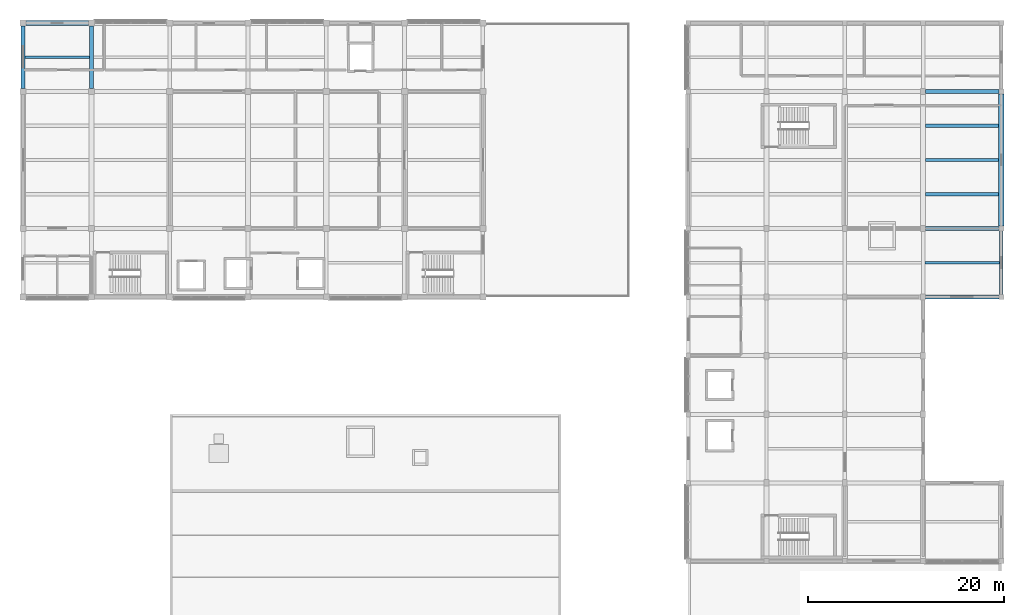
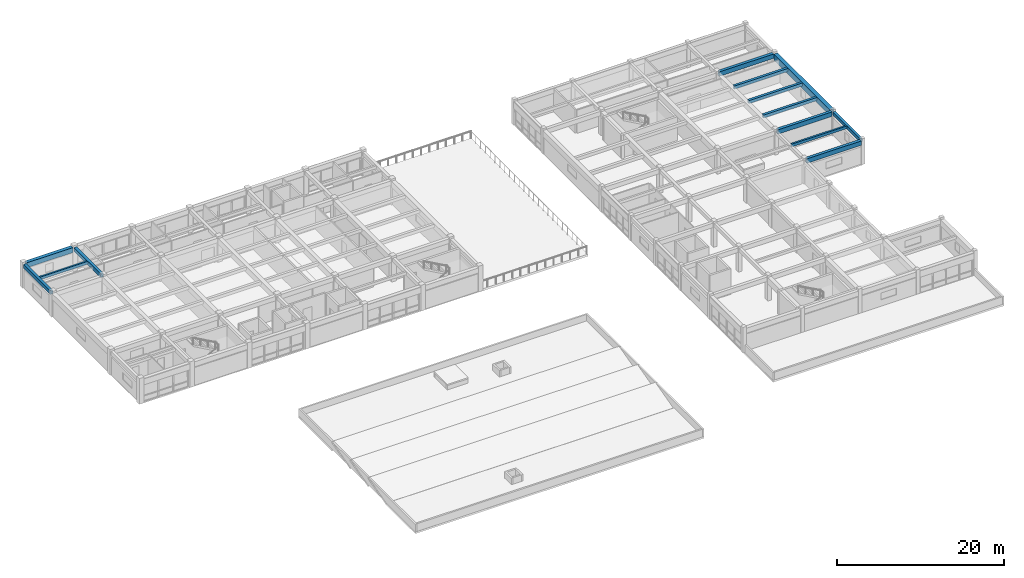
# One storey, part 6 of 22: 13 beams.
"""IFC4 building model written with IfcOpenShell, lengths in metres."""

from ifc_helpers import new_model, si_unit, direction, frame, origin, origin_2d, place, context, subcontext, project, spatial, rectangle, extrude, material, material_profile, profile_set, type_object, element, save


model = new_model("IFC4")

# Units and contexts
model_context = context("Model", 3, precision=1e-05, world=origin(), true_north=direction((0.0, 1.0)))
body_context = subcontext(model_context, "Body", "Model", "MODEL_VIEW")
ifc_project = project(units=[si_unit("LENGTHUNIT", "METRE"), si_unit("AREAUNIT", "SQUARE_METRE"), si_unit("VOLUMEUNIT", "CUBIC_METRE"), si_unit("PLANEANGLEUNIT", "RADIAN"), si_unit("MASSUNIT", "GRAM", prefix="KILO")], contexts=[model_context])

# Site, building, storey
site_placement = place(None, origin())
site = spatial("IfcSite", under=ifc_project, at=site_placement, CompositionType="ELEMENT")
building_placement = place(site_placement, origin())
building = spatial("IfcBuilding", under=site, at=building_placement, Name="Naurynzar Civic Courthouse", CompositionType="ELEMENT")
storey_placement = place(building_placement, frame((0.0, 0.0, 25.800048828125)))
storey = spatial("IfcBuildingStorey", under=building, at=storey_placement, Name="L07", CompositionType="ELEMENT", Elevation=25.800048828125)

# Beams
ifc_material_1 = material(Name="Concrete C40/50", Category="concrete")
ifc_material_profile_1 = material_profile(ifc_material_1, rectangle(XDim=0.25, YDim=0.39990234375, at=origin_2d()), Name="RCB 250x400")
ifc_profile_set_1 = profile_set([ifc_material_profile_1], Name="Concrete C40/50")
beam_type_1 = type_object("IfcBeamType", Name="BM-JST-250x400", PredefinedType="JOIST", material=ifc_profile_set_1)
beam_1_placement = place(storey_placement, frame((62.1875, 68.5, 3.27001953125), z_axis=(1.0, 0.0, 0.0), x_axis=(0.0, 1.0, 0.0)))
element("IfcBeam", 1, at=beam_1_placement, inside=storey, type_object=beam_type_1, Name="V2 secondary rib 995 L07", PredefinedType="JOIST", context=body_context, shape_type="SweptSolid", body=[
    extrude(rectangle(XDim=0.25, YDim=0.39990234375, at=origin_2d()), origin(), (0.0, 0.0, 1.0), 6.625),
])
beam_2_placement = place(storey_placement, frame((154.175048828125, 47.5, 3.27001953125), z_axis=(1.0, 0.0, 0.0), x_axis=(0.0, 1.0, 0.0)))
element("IfcBeam", 2, at=beam_2_placement, inside=storey, type_object=beam_type_1, Name="V5 secondary rib 2890 L07", PredefinedType="JOIST", context=body_context, shape_type="SweptSolid", body=[
    extrude(rectangle(XDim=0.25, YDim=0.39990234375, at=origin_2d()), origin(), (0.0, 0.0, 1.0), 7.64990234375),
])
ifc_material_2 = material(Name="Concrete C40/50", Category="concrete")
ifc_material_profile_2 = material_profile(ifc_material_2, rectangle(XDim=0.550048828125, YDim=0.85009765625, at=origin_2d()), Name="PTB 550x850")
ifc_profile_set_2 = profile_set([ifc_material_profile_2], Name="Concrete C40/50")
beam_type_2 = type_object("IfcBeamType", Name="BM-PT-550x850", PredefinedType="T_BEAM", material=ifc_profile_set_2)
beam_3_placement = place(storey_placement, frame((162.0, 51.25, 3.044921875), z_axis=(0.0, 1.0, 0.0), x_axis=(-1.0, 0.0, 0.0)))
element("IfcBeam", 3, at=beam_3_placement, inside=storey, type_object=beam_type_2, Name="V5 girder Y-2881 L07", PredefinedType="T_BEAM", context=body_context, shape_type="SweptSolid", body=[
    extrude(rectangle(XDim=0.550048828125, YDim=0.85009765625, at=origin_2d()), origin(), (0.0, 0.0, 1.0), 13.5),
])
ifc_material_3 = material(Name="Concrete C40/50", Category="concrete")
ifc_material_profile_3 = material_profile(ifc_material_3, rectangle(XDim=0.35009765625, YDim=0.449951171875, at=origin_2d()), Name="RCB 350x450")
ifc_profile_set_3 = profile_set([ifc_material_profile_3], Name="Concrete C40/50")
beam_type_3 = type_object("IfcBeamType", Name="BM-RC-350x450", PredefinedType="BEAM", material=ifc_profile_set_3)
for number, where, z_axis, x_axis, name in (
    (4, (154.27490234375, 54.5, 3.244873046875), (1.0, 0.0, 0.0), (0.0, 1.0, 0.0), "V5 secondary rib 2898 L07"),
    (5, (154.27490234375, 58.0, 3.244873046875), (1.0, 0.0, 0.0), (0.0, 1.0, 0.0), "V5 secondary rib 2899 L07"),
    (6, (154.27490234375, 61.5, 3.244873046875), (1.0, 0.0, 0.0), (0.0, 1.0, 0.0), "V5 secondary rib 2900 L07"),
):
    element("IfcBeam", number, at=place(storey_placement, frame(where, z_axis=z_axis, x_axis=x_axis)), inside=storey, type_object=beam_type_3, Name=name, PredefinedType="BEAM", context=body_context, shape_type="SweptSolid", body=[
        extrude(rectangle(XDim=0.35009765625, YDim=0.449951171875, at=origin_2d()), origin(), (0.0, 0.0, 1.0), 7.4501953125),
    ])
ifc_material_4 = material(Name="Concrete C40/50", Category="concrete")
ifc_material_profile_4 = material_profile(ifc_material_4, rectangle(XDim=0.35009765625, YDim=0.5, at=origin_2d()), Name="RCB 350x500")
ifc_profile_set_4 = profile_set([ifc_material_profile_4], Name="Concrete C40/50")
beam_type_4 = type_object("IfcBeamType", Name="BM-RC-350x500", PredefinedType="BEAM", material=ifc_profile_set_4)
beam_4_placement = place(storey_placement, frame((162.0, 44.25, 3.219970703125), z_axis=(0.0, 1.0, 0.0), x_axis=(-1.0, 0.0, 0.0)))
element("IfcBeam", 7, at=beam_4_placement, inside=storey, type_object=beam_type_4, Name="V5 girder Y-2880 L07", PredefinedType="BEAM", context=body_context, shape_type="SweptSolid", body=[
    extrude(rectangle(XDim=0.35009765625, YDim=0.5, at=origin_2d()), origin(), (0.0, 0.0, 1.0), 6.5),
])
ifc_material_5 = material(Name="Concrete C40/50", Category="concrete")
ifc_material_profile_5 = material_profile(ifc_material_5, rectangle(XDim=0.375, YDim=0.550048828125, at=origin_2d()), Name="RCB 375x550")
ifc_profile_set_5 = profile_set([ifc_material_profile_5], Name="Concrete C40/50")
beam_type_5 = type_object("IfcBeamType", Name="BM-RC-375x550", PredefinedType="BEAM", material=ifc_profile_set_5)
beam_5_placement = place(storey_placement, frame((62.0, 65.3125, 3.195068359375), z_axis=(0.0, 1.0, 0.0), x_axis=(-1.0, 0.0, 0.0)))
element("IfcBeam", 8, at=beam_5_placement, inside=storey, type_object=beam_type_5, Name="V2 girder Y-956 L07", PredefinedType="BEAM", context=body_context, shape_type="SweptSolid", body=[
    extrude(rectangle(XDim=0.375, YDim=0.550048828125, at=origin_2d()), origin(), (0.0, 0.0, 1.0), 6.375),
])
beam_6_placement = place(storey_placement, frame((69.0, 65.324951171875, 3.195068359375), z_axis=(0.0, 1.0, 0.0), x_axis=(-1.0, 0.0, 0.0)))
element("IfcBeam", 9, at=beam_6_placement, inside=storey, type_object=beam_type_5, Name="V2 girder Y-959 L07", PredefinedType="BEAM", context=body_context, shape_type="SweptSolid", body=[
    extrude(rectangle(XDim=0.375, YDim=0.550048828125, at=origin_2d()), origin(), (0.0, 0.0, 1.0), 6.362548828125),
])
ifc_material_6 = material(Name="Concrete C40/50", Category="concrete")
ifc_material_profile_6 = material_profile(ifc_material_6, rectangle(XDim=0.39990234375, YDim=0.64990234375, at=origin_2d()), Name="RCB 400x650")
ifc_profile_set_6 = profile_set([ifc_material_profile_6], Name="Concrete C40/50")
beam_type_6 = type_object("IfcBeamType", Name="BM-RC-400x650", PredefinedType="BEAM", material=ifc_profile_set_6)
for number, where, z_axis, x_axis, name in (
    (10, (154.25, 44.0, 3.14501953125), (1.0, 0.0, 0.0), (0.0, 1.0, 0.0), "V5 beam X-2838 L07"),
    (11, (154.25, 51.0, 3.14501953125), (1.0, 0.0, 0.0), (0.0, 1.0, 0.0), "V5 beam X-2842 L07"),
    (12, (154.25, 65.0, 3.14501953125), (1.0, 0.0, 0.0), (0.0, 1.0, 0.0), "V5 beam X-2846 L07"),
):
    element("IfcBeam", number, at=place(storey_placement, frame(where, z_axis=z_axis, x_axis=x_axis)), inside=storey, type_object=beam_type_6, Name=name, PredefinedType="BEAM", context=body_context, shape_type="SweptSolid", body=[
        extrude(rectangle(XDim=0.39990234375, YDim=0.64990234375, at=origin_2d()), origin(), (0.0, 0.0, 1.0), 7.5),
    ])
ifc_material_7 = material(Name="Concrete C40/50", Category="concrete")
ifc_material_profile_7 = material_profile(ifc_material_7, rectangle(XDim=0.47509765625, YDim=0.72509765625, at=origin_2d()), Name="RCB 475x725")
ifc_profile_set_7 = profile_set([ifc_material_profile_7], Name="Concrete C40/50")
beam_type_7 = type_object("IfcBeamType", Name="BM-RC-475x725", PredefinedType="SPANDREL", material=ifc_profile_set_7)
beam_7_placement = place(storey_placement, frame((62.3125, 72.0, 3.107421875), z_axis=(1.0, 0.0, 0.0), x_axis=(0.0, 1.0, 0.0)))
element("IfcBeam", 13, at=beam_7_placement, inside=storey, type_object=beam_type_7, Name="V2 beam X-948 L07", PredefinedType="SPANDREL", context=body_context, shape_type="SweptSolid", body=[
    extrude(rectangle(XDim=0.47509765625, YDim=0.72509765625, at=origin_2d()), origin(), (0.0, 0.0, 1.0), 6.375),
])

save(model, "model.ifc")
